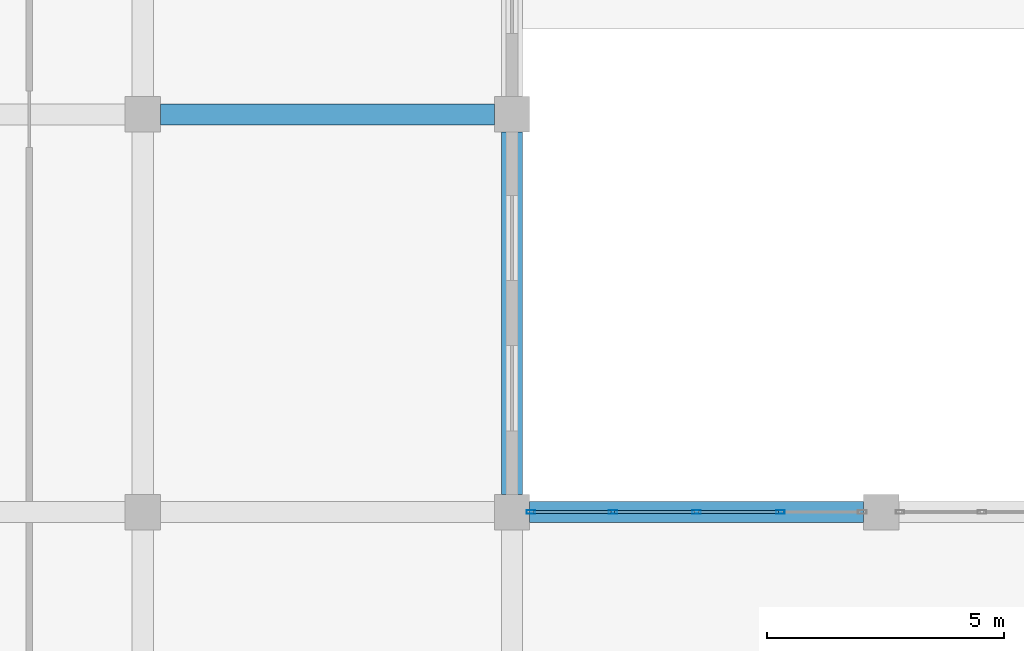
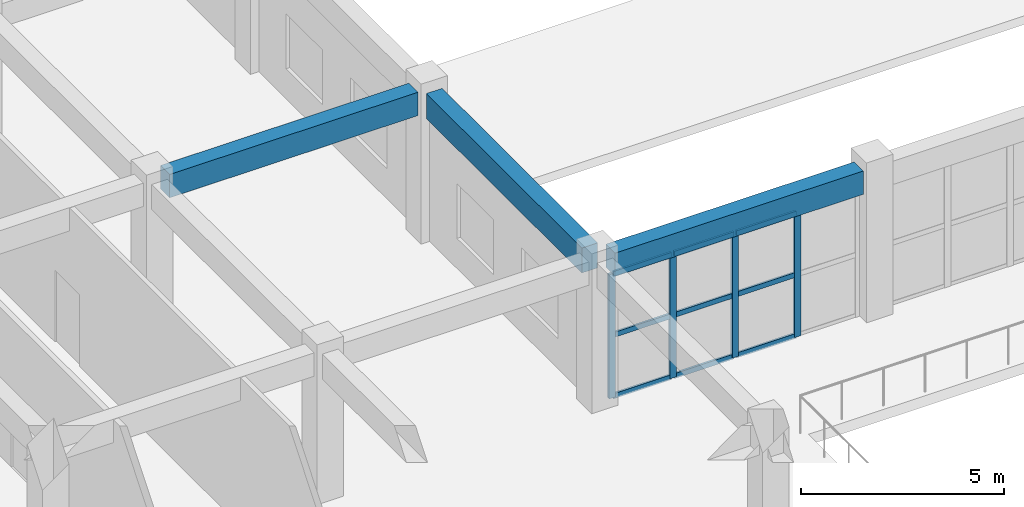
# One storey, part 36 of 167: 13 members, 3 beams, 1 element without a shape of its own.
"""IFC4 building model written with IfcOpenShell, lengths in metres."""

from ifc_helpers import new_model, si_unit, direction, frame, origin, origin_2d, place, context, subcontext, project, spatial, rectangle, hollow_rectangle, extrude, material, layer, layer_set, material_profile, profile_set, type_object, element, aggregate, save


model = new_model("IFC4")

# Units and contexts
model_context = context("Model", 3, precision=1e-05, world=origin(), true_north=direction((0.0, 1.0)))
body_context = subcontext(model_context, "Body", "Model", "MODEL_VIEW")
ifc_project = project(units=[si_unit("LENGTHUNIT", "METRE"), si_unit("AREAUNIT", "SQUARE_METRE"), si_unit("VOLUMEUNIT", "CUBIC_METRE"), si_unit("PLANEANGLEUNIT", "RADIAN"), si_unit("MASSUNIT", "GRAM", prefix="KILO")], contexts=[model_context])

# Site, building, storey
site_placement = place(None, origin())
site = spatial("IfcSite", under=ifc_project, at=site_placement, CompositionType="ELEMENT")
building_placement = place(site_placement, origin())
building = spatial("IfcBuilding", under=site, at=building_placement, Name="Zizhar Promenade General Hospital", CompositionType="ELEMENT")
storey_placement = place(building_placement, frame((0.0, 0.0, 9.60009765625)))
storey = spatial("IfcBuildingStorey", under=building, at=storey_placement, Name="L02", CompositionType="ELEMENT", Elevation=9.60009765625)

# Beams
ifc_material_1 = material(Name="Concrete C35/45", Category="concrete")
ifc_material_profile_1 = material_profile(ifc_material_1, rectangle(XDim=0.449951171875, YDim=0.699951171875, at=origin_2d()))
ifc_profile_set_1 = profile_set([ifc_material_profile_1], Name="Concrete C35/45")
beam_type_1 = type_object("IfcBeamType", Name="BM-RC-450x700", PredefinedType="BEAM", material=ifc_profile_set_1)
for number, where, z_axis, x_axis, name in (
    (1, (62.77490234375, 58.800048828125, 4.119873046875), (1.0, 0.0, 0.0), (0.0, 1.0, 0.0), "Grid Beam X L02 (8-7)"),
    (2, (70.574951171875, 50.39990234375, 4.119873046875), (1.0, 0.0, 0.0), (0.0, 1.0, 0.0), "Grid Beam X L02 (9-6)"),
):
    element("IfcBeam", number, at=place(storey_placement, frame(where, z_axis=z_axis, x_axis=x_axis)), inside=storey, type_object=beam_type_1, Name=name, PredefinedType="BEAM", context=body_context, shape_type="SweptSolid", body=[
        extrude(rectangle(XDim=0.449951171875, YDim=0.699951171875, at=origin_2d()), origin(), (0.0, 0.0, 1.0), 7.050048828125),
    ])
ifc_material_2 = material(Name="Concrete C35/45", Category="concrete")
ifc_material_profile_2 = material_profile(ifc_material_2, rectangle(XDim=0.449951171875, YDim=0.75, at=origin_2d()))
ifc_profile_set_2 = profile_set([ifc_material_profile_2], Name="Concrete C35/45")
beam_type_2 = type_object("IfcBeamType", Name="BM-RC-450x750", PredefinedType="BEAM", material=ifc_profile_set_2)
beam_placement = place(storey_placement, frame((70.199951171875, 50.77490234375, 4.094970703125), z_axis=(0.0, 1.0, 0.0), x_axis=(-1.0, 0.0, 0.0)))
element("IfcBeam", 3, at=beam_placement, inside=storey, type_object=beam_type_2, Name="Grid Beam Y L02 (9-6)", PredefinedType="BEAM", context=body_context, shape_type="SweptSolid", body=[
    extrude(rectangle(XDim=0.449951171875, YDim=0.75, at=origin_2d()), origin(), (0.0, 0.0, 1.0), 7.650146484375),
])

# Curtain wall, members
ifc_material_3 = material(Name="Anodised aluminium 6063-T6 and low-E glass", Category="aluminium")
ifc_layer = layer(ifc_material_3, 0.159912109375)
ifc_layer_set = layer_set([ifc_layer], Name="Anodised aluminium 6063-T6 and low-E glass")
curtain_wall_type = type_object("IfcCurtainWallType", Name="CW-HALL-N", PredefinedType="NOTDEFINED", material=ifc_layer_set)
curtain_wall_placement = place(storey_placement, origin())
curtain_wall = element("IfcCurtainWall", 4, at=curtain_wall_placement, inside=storey, type_object=curtain_wall_type, Name="Main Hall Courtyard Curtain Wall L02-9", PredefinedType="NOTDEFINED")
ifc_material_4 = material(Name="Anodised aluminium 6063-T6", Category="aluminium")
ifc_material_profile_3 = material_profile(ifc_material_4, hollow_rectangle(XDim=0.080078125, YDim=0.179931640625, WallThickness=0.0048828125, at=origin_2d()))
ifc_profile_set_3 = profile_set([ifc_material_profile_3], Name="Anodised aluminium 6063-T6")
member_type_1 = type_object("IfcMemberType", Name="CWM-ALU-180x80", PredefinedType="MULLION", material=ifc_profile_set_3)
member_1_placement = place(storey_placement, frame((70.60009765625, 50.39990234375, 0.0), z_axis=(0.0, 0.0, 1.0), x_axis=(0.0, 1.0, 0.0)))
member_1 = element("IfcMember", 5, at=member_1_placement, type_object=member_type_1, Name="CW-02 mullion 1", PredefinedType="MULLION", context=body_context, shape_type="SweptSolid", body=[
    extrude(hollow_rectangle(XDim=0.080078125, YDim=0.179931640625, WallThickness=0.0048828125, at=origin_2d()), origin(), (0.0, 0.0, 1.0), 3.72998046875),
])
member_2_placement = place(storey_placement, frame((72.330078125, 50.39990234375, 0.0), z_axis=(0.0, 0.0, 1.0), x_axis=(0.0, 1.0, 0.0)))
member_2 = element("IfcMember", 6, at=member_2_placement, type_object=member_type_1, Name="CW-02 mullion 2", PredefinedType="MULLION", context=body_context, shape_type="SweptSolid", body=[
    extrude(hollow_rectangle(XDim=0.080078125, YDim=0.179931640625, WallThickness=0.0048828125, at=origin_2d()), origin(), (0.0, 0.0, 1.0), 3.72998046875),
])
member_3_placement = place(storey_placement, frame((74.10009765625, 50.39990234375, 0.0), z_axis=(0.0, 0.0, 1.0), x_axis=(0.0, 1.0, 0.0)))
member_3 = element("IfcMember", 7, at=member_3_placement, type_object=member_type_1, Name="CW-02 mullion 3", PredefinedType="MULLION", context=body_context, shape_type="SweptSolid", body=[
    extrude(hollow_rectangle(XDim=0.080078125, YDim=0.179931640625, WallThickness=0.0048828125, at=origin_2d()), origin(), (0.0, 0.0, 1.0), 3.72998046875),
])
member_4_placement = place(storey_placement, frame((75.8701171875, 50.39990234375, 0.0), z_axis=(0.0, 0.0, 1.0), x_axis=(0.0, 1.0, 0.0)))
member_4 = element("IfcMember", 8, at=member_4_placement, type_object=member_type_1, Name="CW-02 mullion 4", PredefinedType="MULLION", context=body_context, shape_type="SweptSolid", body=[
    extrude(hollow_rectangle(XDim=0.080078125, YDim=0.179931640625, WallThickness=0.0048828125, at=origin_2d()), origin(), (0.0, 0.0, 1.0), 3.72998046875),
])
ifc_material_5 = material(Name="Anodised aluminium 6063-T6", Category="aluminium")
ifc_material_profile_4 = material_profile(ifc_material_5, hollow_rectangle(XDim=0.06005859375, YDim=0.14990234375, WallThickness=0.00390625, at=origin_2d()))
ifc_profile_set_4 = profile_set([ifc_material_profile_4], Name="Anodised aluminium 6063-T6")
member_type_2 = type_object("IfcMemberType", Name="CWT-ALU-150x60", PredefinedType="USERDEFINED", material=ifc_profile_set_4)
member_5_placement = place(storey_placement, frame((70.639892578125, 50.39990234375, 0.02978515625), z_axis=(1.0, 0.0, 0.0), x_axis=(0.0, 1.0, 0.0)))
member_5 = element("IfcMember", 9, at=member_5_placement, type_object=member_type_2, Name="CW-02 transom 1.1", ObjectType="TRANSOM", PredefinedType="USERDEFINED", context=body_context, shape_type="SweptSolid", body=[
    extrude(hollow_rectangle(XDim=0.06005859375, YDim=0.14990234375, WallThickness=0.00390625, at=origin_2d()), origin(), (0.0, 0.0, 1.0), 1.650146484375),
])
member_6_placement = place(storey_placement, frame((70.639892578125, 50.39990234375, 1.864990234375), z_axis=(1.0, 0.0, 0.0), x_axis=(0.0, 1.0, 0.0)))
member_6 = element("IfcMember", 10, at=member_6_placement, type_object=member_type_2, Name="CW-02 transom 1.2", ObjectType="TRANSOM", PredefinedType="USERDEFINED", context=body_context, shape_type="SweptSolid", body=[
    extrude(hollow_rectangle(XDim=0.06005859375, YDim=0.14990234375, WallThickness=0.00390625, at=origin_2d()), origin(), (0.0, 0.0, 1.0), 1.650146484375),
])
member_7_placement = place(storey_placement, frame((70.639892578125, 50.39990234375, 3.699951171875), z_axis=(1.0, 0.0, 0.0), x_axis=(0.0, 1.0, 0.0)))
member_7 = element("IfcMember", 11, at=member_7_placement, type_object=member_type_2, Name="CW-02 transom 1.3", ObjectType="TRANSOM", PredefinedType="USERDEFINED", context=body_context, shape_type="SweptSolid", body=[
    extrude(hollow_rectangle(XDim=0.06005859375, YDim=0.14990234375, WallThickness=0.00390625, at=origin_2d()), origin(), (0.0, 0.0, 1.0), 1.650146484375),
])
member_8_placement = place(storey_placement, frame((72.3701171875, 50.39990234375, 0.02978515625), z_axis=(1.0, 0.0, 0.0), x_axis=(0.0, 1.0, 0.0)))
member_8 = element("IfcMember", 12, at=member_8_placement, type_object=member_type_2, Name="CW-02 transom 2.1", ObjectType="TRANSOM", PredefinedType="USERDEFINED", context=body_context, shape_type="SweptSolid", body=[
    extrude(hollow_rectangle(XDim=0.06005859375, YDim=0.14990234375, WallThickness=0.00390625, at=origin_2d()), origin(), (0.0, 0.0, 1.0), 1.68994140625),
])
member_9_placement = place(storey_placement, frame((72.3701171875, 50.39990234375, 1.864990234375), z_axis=(1.0, 0.0, 0.0), x_axis=(0.0, 1.0, 0.0)))
member_9 = element("IfcMember", 13, at=member_9_placement, type_object=member_type_2, Name="CW-02 transom 2.2", ObjectType="TRANSOM", PredefinedType="USERDEFINED", context=body_context, shape_type="SweptSolid", body=[
    extrude(hollow_rectangle(XDim=0.06005859375, YDim=0.14990234375, WallThickness=0.00390625, at=origin_2d()), origin(), (0.0, 0.0, 1.0), 1.68994140625),
])
member_10_placement = place(storey_placement, frame((72.3701171875, 50.39990234375, 3.699951171875), z_axis=(1.0, 0.0, 0.0), x_axis=(0.0, 1.0, 0.0)))
member_10 = element("IfcMember", 14, at=member_10_placement, type_object=member_type_2, Name="CW-02 transom 2.3", ObjectType="TRANSOM", PredefinedType="USERDEFINED", context=body_context, shape_type="SweptSolid", body=[
    extrude(hollow_rectangle(XDim=0.06005859375, YDim=0.14990234375, WallThickness=0.00390625, at=origin_2d()), origin(), (0.0, 0.0, 1.0), 1.68994140625),
])
member_11_placement = place(storey_placement, frame((74.139892578125, 50.39990234375, 0.02978515625), z_axis=(1.0, 0.0, 0.0), x_axis=(0.0, 1.0, 0.0)))
member_11 = element("IfcMember", 15, at=member_11_placement, type_object=member_type_2, Name="CW-02 transom 3.1", ObjectType="TRANSOM", PredefinedType="USERDEFINED", context=body_context, shape_type="SweptSolid", body=[
    extrude(hollow_rectangle(XDim=0.06005859375, YDim=0.14990234375, WallThickness=0.00390625, at=origin_2d()), origin(), (0.0, 0.0, 1.0), 1.690185546875),
])
member_12_placement = place(storey_placement, frame((74.139892578125, 50.39990234375, 1.864990234375), z_axis=(1.0, 0.0, 0.0), x_axis=(0.0, 1.0, 0.0)))
member_12 = element("IfcMember", 16, at=member_12_placement, type_object=member_type_2, Name="CW-02 transom 3.2", ObjectType="TRANSOM", PredefinedType="USERDEFINED", context=body_context, shape_type="SweptSolid", body=[
    extrude(hollow_rectangle(XDim=0.06005859375, YDim=0.14990234375, WallThickness=0.00390625, at=origin_2d()), origin(), (0.0, 0.0, 1.0), 1.690185546875),
])
member_13_placement = place(storey_placement, frame((74.139892578125, 50.39990234375, 3.699951171875), z_axis=(1.0, 0.0, 0.0), x_axis=(0.0, 1.0, 0.0)))
member_13 = element("IfcMember", 17, at=member_13_placement, type_object=member_type_2, Name="CW-02 transom 3.3", ObjectType="TRANSOM", PredefinedType="USERDEFINED", context=body_context, shape_type="SweptSolid", body=[
    extrude(hollow_rectangle(XDim=0.06005859375, YDim=0.14990234375, WallThickness=0.00390625, at=origin_2d()), origin(), (0.0, 0.0, 1.0), 1.690185546875),
])
aggregate(curtain_wall, [member_1, member_2, member_3, member_4, member_5, member_6, member_7, member_8, member_9, member_10, member_11, member_12, member_13])

save(model, "model.ifc")
